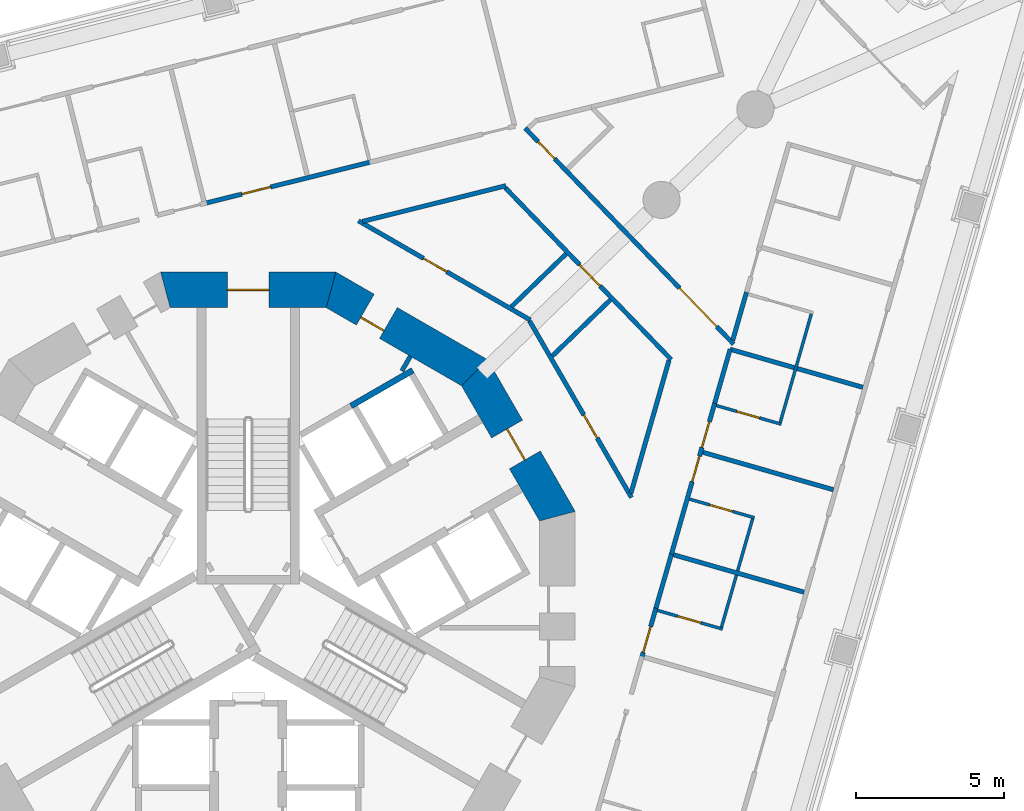
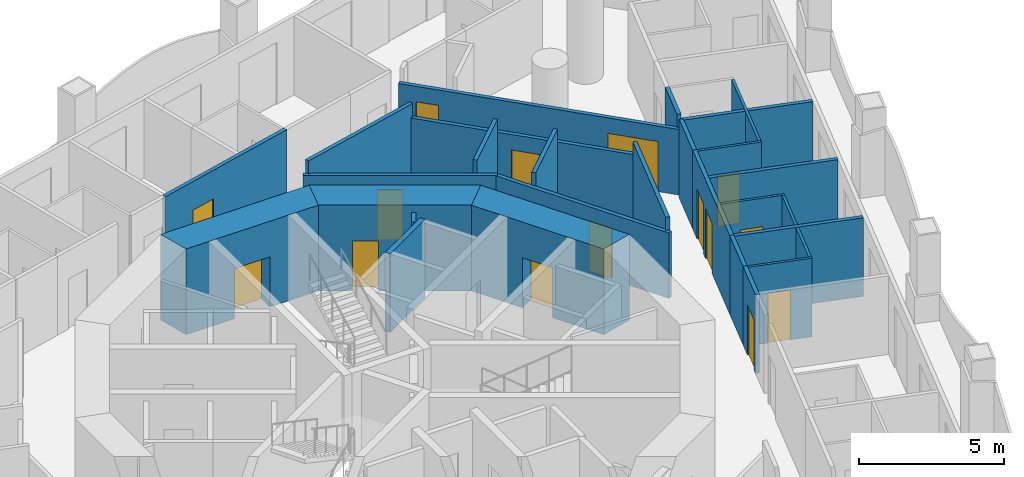
# One storey, part 10 of 20: 28 walls, 15 doors, 15 openings.
"""IFC4 building model written with IfcOpenShell, lengths in metres."""

from ifc_helpers import new_model, si_unit, direction, frame, frame_2d, origin, place, context, subcontext, project, spatial, polyline, rectangle, outline, extrude, material, layer, layer_set, type_object, element, fill, save


model = new_model("IFC4")

# Units and contexts
model_context = context("Model", 3, precision=1e-05, world=origin(), true_north=direction((0.0, 1.0)))
body_context = subcontext(model_context, "Body", "Model", "MODEL_VIEW")
ifc_project = project(units=[si_unit("LENGTHUNIT", "METRE"), si_unit("AREAUNIT", "SQUARE_METRE"), si_unit("VOLUMEUNIT", "CUBIC_METRE"), si_unit("PLANEANGLEUNIT", "RADIAN"), si_unit("MASSUNIT", "GRAM", prefix="KILO")], contexts=[model_context])

# Site, building, storey
site_placement = place(None, origin())
site = spatial("IfcSite", under=ifc_project, at=site_placement, CompositionType="ELEMENT")
building_placement = place(site_placement, origin())
building = spatial("IfcBuilding", under=site, at=building_placement, Name="Trine Commons Tower", CompositionType="ELEMENT")
storey_placement = place(building_placement, frame((0.0, 0.0, 112.5)))
storey = spatial("IfcBuildingStorey", under=building, at=storey_placement, Name="L28", CompositionType="ELEMENT", Elevation=112.5)

# Wall
ifc_material_1 = material(Name="Plasterboard partition on steel studs", Category="steel")
ifc_layer_1 = layer(ifc_material_1, 0.14990234375)
ifc_layer_set_1 = layer_set([ifc_layer_1], Name="Plasterboard partition on steel studs")
wall_type_1 = type_object("IfcWallType", Name="Core room partition 150 mm, EI 60", PredefinedType="PARTITIONING", material=ifc_layer_set_1)
wall_1_placement = place(storey_placement, frame((85.4609375, 70.676025390625, 0.0), z_axis=(0.0, 0.0, 1.0), x_axis=(-0.500042804318, -0.866000689289, 0.0)))
element("IfcWall", 1, at=wall_1_placement, inside=storey, type_object=wall_type_1, Name="Core room partition L28", PredefinedType="PARTITIONING", context=body_context, shape_type="SweptSolid", body=[
    extrude(rectangle(XDim=0.57177734375, YDim=0.14990234375, at=frame_2d((0.285888671875, 0.0))), origin(), (0.0, 0.0, 1.0), 3.300048828125),
])

# Wall, opening, door
ifc_material_2 = material(Name="Concrete C70/85", Category="concrete")
ifc_layer_2 = layer(ifc_material_2, 1.199951171875)
ifc_layer_set_2 = layer_set([ifc_layer_2], Name="Concrete C70/85")
wall_type_2 = type_object("IfcWallType", Name="RC shear wall 1200 mm, C70/85", PredefinedType="SHEAR", material=ifc_layer_set_2)
wall_2_placement = place(storey_placement, frame((90.491943359375, 65.150390625, 0.0), z_axis=(0.0, 0.0, 1.0), x_axis=(-0.499979111662, 0.866037463336, 0.0)))
wall_2 = element("IfcWall", 2, at=wall_2_placement, inside=storey, type_object=wall_type_2, Name="Core wall CWC-02 L28", PredefinedType="SHEAR", context=body_context, shape_type="SweptSolid", body=[
    extrude(outline(polyline([(0.0, -0.60009765625), (5.901123046875, -0.60009765625), (5.57958984375, 0.60009765625), (0.321533203125, 0.60009765625), (0.0, -0.60009765625)])), origin(), (0.0, 0.0, 1.0), 3.60009765625),
])
opening_1_placement = place(wall_2_placement, frame((2.3505859375, 0.0, 0.0)))
opening_1 = element("IfcOpeningElement", 3, at=opening_1_placement, cuts=wall_2, Name="Opening K07.04", PredefinedType="OPENING", context=body_context, shape_type="SweptSolid", body=[
    extrude(rectangle(XDim=1.199951171875, YDim=2.10009765625, at=frame_2d((0.60009765625, 1.050048828125))), frame((0.0, 0.60986328125, 0.0), z_axis=(0.0, -1.0, 0.0), x_axis=(1.0, 0.0, 0.0)), (0.0, 0.0, 1.0), 1.219970703125),
])
ifc_material_3 = material(Name="Steel door leaves, fire-rated", Category="steel")
door_type_1 = type_object("IfcDoorType", Name="Lobby door, double leaf 1200 x 2100, FD60", OperationType="DOUBLE_DOOR_SINGLE_SWING", PredefinedType="DOOR", material=ifc_material_3)
door_1_placement = place(opening_1_placement, origin())
door_1 = element("IfcDoor", 4, at=door_1_placement, inside=storey, type_object=door_type_1, Name="Lobby door, Passenger lift lobby A L28", OperationType="DOUBLE_DOOR_SINGLE_SWING", OverallHeight=2.10009765625, OverallWidth=1.199951171875, PredefinedType="DOOR", context=body_context, shape_type="SweptSolid", body=[
    extrude(rectangle(XDim=1.199951171875, YDim=2.10009765625, at=frame_2d((0.60009765625, 1.050048828125))), frame((0.0, 0.02490234375, 0.0), z_axis=(0.0, -1.0, 0.0), x_axis=(1.0, 0.0, 0.0)), (0.0, 0.0, 1.0), 0.050048828125),
])
fill(opening_1, door_1)

wall_3_placement = place(storey_placement, frame((87.760986328125, 70.04150390625, 0.0), z_axis=(0.0, 0.0, 1.0), x_axis=(-0.866037463336, 0.499979111662, 0.0)))
wall_3 = element("IfcWall", 5, at=wall_3_placement, inside=storey, type_object=wall_type_2, Name="Core wall CWC-03 L28", PredefinedType="SHEAR", context=body_context, shape_type="SweptSolid", body=[
    extrude(outline(polyline([(0.0, -0.60009765625), (5.901123046875, -0.60009765625), (5.57958984375, 0.60009765625), (0.321533203125, 0.60009765625), (0.0, -0.60009765625)])), origin(), (0.0, 0.0, 1.0), 3.60009765625),
])
opening_2_placement = place(wall_3_placement, frame((3.509521484375, 0.0, 0.0)))
opening_2 = element("IfcOpeningElement", 6, at=opening_2_placement, cuts=wall_3, Name="Opening K07.11", PredefinedType="OPENING", context=body_context, shape_type="SweptSolid", body=[
    extrude(rectangle(XDim=0.89990234375, YDim=2.10009765625, at=frame_2d((0.449951171875, 1.050048828125))), frame((0.0, 0.60986328125, 0.0), z_axis=(0.0, -1.0, 0.0), x_axis=(1.0, 0.0, 0.0)), (0.0, 0.0, 1.0), 1.219970703125),
])
ifc_material_4 = material(Name="Steel door leaf, fire-rated", Category="steel")
door_type_2 = type_object("IfcDoorType", Name="Core room door, single leaf 900 x 2100, FD30S", OperationType="SINGLE_SWING_LEFT", PredefinedType="DOOR", material=ifc_material_4)
door_2_placement = place(opening_2_placement, origin())
door_2 = element("IfcDoor", 7, at=door_2_placement, inside=storey, type_object=door_type_2, Name="Door to Accessible WC L28", OperationType="SINGLE_SWING_RIGHT", OverallHeight=2.10009765625, OverallWidth=0.89990234375, PredefinedType="DOOR", context=body_context, shape_type="SweptSolid", body=[
    extrude(rectangle(XDim=0.89990234375, YDim=2.10009765625, at=frame_2d((0.449951171875, 1.050048828125))), frame((0.0, 0.3251953125, 0.0), z_axis=(0.0, -1.0, 0.0), x_axis=(1.0, 0.0, 0.0)), (0.0, 0.0, 1.0), 0.050048828125),
])
fill(opening_2, door_2)

wall_4_placement = place(storey_placement, frame((82.950439453125, 72.91162109375, 0.0), z_axis=(0.0, 0.0, 1.0), x_axis=(-1.0, 0.0, 0.0)))
wall_4 = element("IfcWall", 8, at=wall_4_placement, inside=storey, type_object=wall_type_2, Name="Core wall CWC-04 L28", PredefinedType="SHEAR", context=body_context, shape_type="SweptSolid", body=[
    extrude(outline(polyline([(0.0, -0.60009765625), (5.90087890625, -0.60009765625), (5.57958984375, 0.60009765625), (0.321533203125, 0.60009765625), (0.0, -0.60009765625)])), origin(), (0.0, 0.0, 1.0), 3.60009765625),
])
opening_3_placement = place(wall_4_placement, frame((2.25048828125, 0.0, 0.0)))
opening_3 = element("IfcOpeningElement", 9, at=opening_3_placement, cuts=wall_4, Name="Opening K07.01", PredefinedType="OPENING", context=body_context, shape_type="SweptSolid", body=[
    extrude(rectangle(XDim=1.39990234375, YDim=2.10009765625, at=frame_2d((0.699951171875, 1.050048828125))), frame((0.0, 0.60986328125, 0.0), z_axis=(0.0, -1.0, 0.0), x_axis=(1.0, 0.0, 0.0)), (0.0, 0.0, 1.0), 1.219970703125),
])
door_type_3 = type_object("IfcDoorType", Name="Stair door, double leaf 1400 x 2100, FD90", OperationType="DOUBLE_DOOR_SINGLE_SWING", PredefinedType="DOOR", material=ifc_material_3)
door_3_placement = place(opening_3_placement, origin())
door_3 = element("IfcDoor", 10, at=door_3_placement, inside=storey, type_object=door_type_3, Name="Stair door to Exit stair ST1A L28", OperationType="DOUBLE_DOOR_SINGLE_SWING", OverallHeight=2.10009765625, OverallWidth=1.39990234375, PredefinedType="DOOR", context=body_context, shape_type="SweptSolid", body=[
    extrude(rectangle(XDim=1.39990234375, YDim=2.10009765625, at=frame_2d((0.699951171875, 1.050048828125))), frame((0.0, 0.02490234375, 0.0), z_axis=(0.0, -1.0, 0.0), x_axis=(1.0, 0.0, 0.0)), (0.0, 0.0, 1.0), 0.050048828125),
])
fill(opening_3, door_3)

# Wall
ifc_material_5 = material(Name="Fire-rated gypsum shaft wall system")
ifc_layer_3 = layer(ifc_material_5, 0.199951171875)
ifc_layer_set_3 = layer_set([ifc_layer_3], Name="Fire-rated gypsum shaft wall system")
wall_type_3 = type_object("IfcWallType", Name="Shaft wall 200 mm, EI 120", PredefinedType="PARTITIONING", material=ifc_layer_set_3)
wall_5_placement = place(storey_placement, frame((83.4619140625, 69.001953125, 0.0), z_axis=(0.0, 0.0, 1.0), x_axis=(0.866202511239, 0.499693115345, 0.0)))
element("IfcWall", 11, at=wall_5_placement, inside=storey, type_object=wall_type_3, Name="Shaft wall L28", PredefinedType="PARTITIONING", context=body_context, shape_type="SweptSolid", body=[
    extrude(rectangle(XDim=2.4013671875, YDim=0.199951171875, at=frame_2d((1.20068359375, 0.0))), origin(), (0.0, 0.0, 1.0), 3.300048828125),
])

# Wall, opening, door
ifc_material_6 = material(Name="Gypsum plasterboard on steel stud", Category="steel")
ifc_layer_4 = layer(ifc_material_6, 0.14990234375)
ifc_layer_set_4 = layer_set([ifc_layer_4], Name="Gypsum plasterboard on steel stud")
wall_type_4 = type_object("IfcWallType", Name="Unit and corridor wall 150 mm, EI 60", PredefinedType="PARTITIONING", material=ifc_layer_set_4)
wall_6_placement = place(storey_placement, frame((78.52392578125, 75.820068359375, 0.0), z_axis=(0.0, 0.0, 1.0), x_axis=(0.970305795141, 0.241881508008, 0.0)))
wall_6 = element("IfcWall", 12, at=wall_6_placement, inside=storey, type_object=wall_type_4, Name="Partition 067", PredefinedType="PARTITIONING", context=body_context, shape_type="SweptSolid", body=[
    extrude(rectangle(XDim=5.796630859375, YDim=0.14990234375, at=frame_2d((2.8984375, 0.0))), origin(), (0.0, 0.0, 1.0), 3.300048828125),
])
opening_4_placement = place(wall_6_placement, frame((1.29833984375, 0.0, 0.0)))
opening_4 = element("IfcOpeningElement", 13, at=opening_4_placement, cuts=wall_6, Name="Opening D-3C13", PredefinedType="OPENING", context=body_context, shape_type="SweptSolid", body=[
    extrude(rectangle(XDim=1.0, YDim=2.10009765625, at=frame_2d((0.5, 1.050048828125))), frame((0.0, 0.0849609375, 0.0), z_axis=(0.0, -1.0, 0.0), x_axis=(1.0, 0.0, 0.0)), (0.0, 0.0, 1.0), 0.169921875),
])
ifc_material_7 = material(Name="Painted timber", Category="wood")
door_type_4 = type_object("IfcDoorType", Name="Amenity room door 1000 x 2100, NOT RATED", OperationType="NOTDEFINED", PredefinedType="DOOR", material=ifc_material_7)
door_4_placement = place(opening_4_placement, origin())
door_4 = element("IfcDoor", 14, at=door_4_placement, inside=storey, type_object=door_type_4, Name="Door D-3C13", OperationType="SINGLE_SWING_LEFT", OverallHeight=2.10009765625, OverallWidth=1.0, PredefinedType="DOOR", context=body_context, shape_type="SweptSolid", body=[
    extrude(rectangle(XDim=1.0, YDim=2.10009765625, at=frame_2d((0.5, 1.050048828125))), frame((0.0, 0.02490234375, 0.0), z_axis=(0.0, -1.0, 0.0), x_axis=(1.0, 0.0, 0.0)), (0.0, 0.0, 1.0), 0.050048828125),
])
fill(opening_4, door_4)

wall_7_placement = place(storey_placement, frame((83.7119140625, 75.237548828125, 0.0), z_axis=(0.0, 0.0, 1.0), x_axis=(0.866033484359, -0.499986003774, 0.0)))
wall_7 = element("IfcWall", 15, at=wall_7_placement, inside=storey, type_object=wall_type_4, Name="Partition 084", PredefinedType="PARTITIONING", context=body_context, shape_type="SweptSolid", body=[
    extrude(rectangle(XDim=6.682373046875, YDim=0.14990234375, at=frame_2d((3.34130859375, 0.0))), origin(), (0.0, 0.0, 1.0), 2.75),
])
opening_5_placement = place(wall_7_placement, frame((2.53271484375, 0.0, 0.0)))
opening_5 = element("IfcOpeningElement", 16, at=opening_5_placement, cuts=wall_7, Name="Opening D-3C35", PredefinedType="OPENING", context=body_context, shape_type="SweptSolid", body=[
    extrude(rectangle(XDim=0.89990234375, YDim=2.10009765625, at=frame_2d((0.449951171875, 1.050048828125))), frame((0.0, 0.0849609375, 0.0), z_axis=(0.0, -1.0, 0.0), x_axis=(1.0, 0.0, 0.0)), (0.0, 0.0, 1.0), 0.169921875),
])
ifc_material_8 = material(Name="Timber fire door set", Category="wood")
door_type_5 = type_object("IfcDoorType", Name="Service door 900 x 2100, FD30S", OperationType="NOTDEFINED", PredefinedType="DOOR", material=ifc_material_8)
door_5_placement = place(opening_5_placement, origin())
door_5 = element("IfcDoor", 17, at=door_5_placement, inside=storey, type_object=door_type_5, Name="Door D-3C35", OperationType="SINGLE_SWING_LEFT", OverallHeight=2.10009765625, OverallWidth=0.89990234375, PredefinedType="DOOR", context=body_context, shape_type="SweptSolid", body=[
    extrude(rectangle(XDim=0.89990234375, YDim=2.10009765625, at=frame_2d((0.449951171875, 1.050048828125))), frame((0.0, 0.02490234375, 0.0), z_axis=(0.0, -1.0, 0.0), x_axis=(1.0, 0.0, 0.0)), (0.0, 0.0, 1.0), 0.050048828125),
])
fill(opening_5, door_5)

# Wall
wall_8_placement = place(storey_placement, frame((83.852783203125, 75.216064453125, 0.0), z_axis=(0.0, 0.0, 1.0), x_axis=(0.970312588938, 0.241854253112, 0.0)))
element("IfcWall", 18, at=wall_8_placement, inside=storey, type_object=wall_type_4, Name="Partition 085", PredefinedType="PARTITIONING", context=body_context, shape_type="SweptSolid", body=[
    extrude(rectangle(XDim=4.974609375, YDim=0.14990234375, at=frame_2d((2.4873046875, 0.0))), origin(), (0.0, 0.0, 1.0), 3.300048828125),
])

# Wall, opening, door
wall_9_placement = place(storey_placement, frame((88.6591796875, 76.34716796875, 0.0), z_axis=(0.0, 0.0, 1.0), x_axis=(0.694672534157, -0.719326122345, 0.0)))
wall_9 = element("IfcWall", 19, at=wall_9_placement, inside=storey, type_object=wall_type_4, Name="Partition 106", PredefinedType="PARTITIONING", context=body_context, shape_type="SweptSolid", body=[
    extrude(rectangle(XDim=8.041015625, YDim=0.14990234375, at=frame_2d((4.0205078125, 0.0))), origin(), (0.0, 0.0, 1.0), 2.75),
])
opening_6_placement = place(wall_9_placement, frame((3.595458984375, 0.0, 0.0)))
opening_6 = element("IfcOpeningElement", 20, at=opening_6_placement, cuts=wall_9, Name="Opening D-3C42", PredefinedType="OPENING", context=body_context, shape_type="SweptSolid", body=[
    extrude(rectangle(XDim=1.0, YDim=2.10009765625, at=frame_2d((0.5, 1.050048828125))), frame((0.0, 0.0849609375, 0.0), z_axis=(0.0, -1.0, 0.0), x_axis=(1.0, 0.0, 0.0)), (0.0, 0.0, 1.0), 0.169921875),
])
door_type_6 = type_object("IfcDoorType", Name="Toilet door 1000 x 2100, NOT RATED", OperationType="NOTDEFINED", PredefinedType="DOOR", material=ifc_material_7)
door_6_placement = place(opening_6_placement, frame((1.0, 0.0, 0.0), z_axis=(0.0, 0.0, 1.0), x_axis=(-1.0, 0.0, 0.0)))
door_6 = element("IfcDoor", 21, at=door_6_placement, inside=storey, type_object=door_type_6, Name="Door D-3C42", OperationType="SINGLE_SWING_LEFT", OverallHeight=2.10009765625, OverallWidth=1.0, PredefinedType="DOOR", context=body_context, shape_type="SweptSolid", body=[
    extrude(rectangle(XDim=1.0, YDim=2.10009765625, at=frame_2d((0.5, 1.050048828125))), frame((0.0, 0.02490234375, 0.0), z_axis=(0.0, -1.0, 0.0), x_axis=(1.0, 0.0, 0.0)), (0.0, 0.0, 1.0), 0.050048828125),
])
fill(opening_6, door_6)

# Wall
wall_10_placement = place(storey_placement, frame((88.864013671875, 72.34619140625, 0.0), z_axis=(0.0, 0.0, 1.0), x_axis=(0.719366900494, 0.694630306332, 0.0)))
element("IfcWall", 22, at=wall_10_placement, inside=storey, type_object=wall_type_4, Name="Partition 107", PredefinedType="PARTITIONING", context=body_context, shape_type="SweptSolid", body=[
    extrude(rectangle(XDim=2.55615234375, YDim=0.14990234375, at=frame_2d((1.278076171875, 0.0))), origin(), (0.0, 0.0, 1.0), 3.300048828125),
])

# Wall, openings, doors
wall_11_placement = place(storey_placement, frame((89.322998046875, 78.35791015625, 0.0), z_axis=(0.0, 0.0, 1.0), x_axis=(0.694707851552, -0.719292013713, 0.0)))
wall_11 = element("IfcWall", 23, at=wall_11_placement, inside=storey, type_object=wall_type_4, Name="Partition 112", PredefinedType="PARTITIONING", context=body_context, shape_type="SweptSolid", body=[
    extrude(rectangle(XDim=10.109619140625, YDim=0.14990234375, at=frame_2d((5.0546875, 0.0))), origin(), (0.0, 0.0, 1.0), 2.75),
])
opening_7_placement = place(wall_11_placement, frame((7.484130859375, 0.0, 0.0)))
opening_7 = element("IfcOpeningElement", 24, at=opening_7_placement, cuts=wall_11, Name="Opening D-3C01", PredefinedType="OPENING", context=body_context, shape_type="SweptSolid", body=[
    extrude(rectangle(XDim=1.800048828125, YDim=2.10009765625, at=frame_2d((0.89990234375, 1.050048828125))), frame((0.0, 0.0849609375, 0.0), z_axis=(0.0, -1.0, 0.0), x_axis=(1.0, 0.0, 0.0)), (0.0, 0.0, 1.0), 0.169921875),
])
opening_8_placement = place(wall_11_placement, frame((0.628662109375, 0.0, 0.0)))
opening_8 = element("IfcOpeningElement", 25, at=opening_8_placement, cuts=wall_11, Name="Opening D-3C04", PredefinedType="OPENING", context=body_context, shape_type="SweptSolid", body=[
    extrude(rectangle(XDim=0.800048828125, YDim=2.10009765625, at=frame_2d((0.39990234375, 1.050048828125))), frame((0.0, 0.0849609375, 0.0), z_axis=(0.0, -1.0, 0.0), x_axis=(1.0, 0.0, 0.0)), (0.0, 0.0, 1.0), 0.169921875),
])
door_type_7 = type_object("IfcDoorType", Name="Cluster entrance door 1800 x 2100, double leaf, FD30S", OperationType="DOUBLE_DOOR_DOUBLE_SWING", PredefinedType="DOOR", material=ifc_material_8)
door_7_placement = place(opening_7_placement, origin())
door_7 = element("IfcDoor", 26, at=door_7_placement, inside=storey, type_object=door_type_7, Name="Door D-3C01", OperationType="DOUBLE_DOOR_DOUBLE_SWING", OverallHeight=2.10009765625, OverallWidth=1.800048828125, PredefinedType="DOOR", context=body_context, shape_type="SweptSolid", body=[
    extrude(rectangle(XDim=1.800048828125, YDim=2.10009765625, at=frame_2d((0.89990234375, 1.050048828125))), frame((0.0, 0.02490234375, 0.0), z_axis=(0.0, -1.0, 0.0), x_axis=(1.0, 0.0, 0.0)), (0.0, 0.0, 1.0), 0.050048828125),
])
fill(opening_7, door_7)
door_type_8 = type_object("IfcDoorType", Name="Toilet door 800 x 2100, NOT RATED", OperationType="NOTDEFINED", PredefinedType="DOOR", material=ifc_material_7)
door_8_placement = place(opening_8_placement, origin())
door_8 = element("IfcDoor", 27, at=door_8_placement, inside=storey, type_object=door_type_8, Name="Door D-3C04", OperationType="SINGLE_SWING_LEFT", OverallHeight=2.10009765625, OverallWidth=0.800048828125, PredefinedType="DOOR", context=body_context, shape_type="SweptSolid", body=[
    extrude(rectangle(XDim=0.800048828125, YDim=2.10009765625, at=frame_2d((0.39990234375, 1.050048828125))), frame((0.0, 0.02490234375, 0.0), z_axis=(0.0, -1.0, 0.0), x_axis=(1.0, 0.0, 0.0)), (0.0, 0.0, 1.0), 0.050048828125),
])
fill(opening_8, door_8)

# Wall, opening, door
wall_12_placement = place(storey_placement, frame((89.471435546875, 71.868896484375, 0.0), z_axis=(0.0, 0.0, 1.0), x_axis=(0.500000410344, -0.866025166872, 0.0)))
wall_12 = element("IfcWall", 28, at=wall_12_placement, inside=storey, type_object=wall_type_4, Name="Partition 114", PredefinedType="PARTITIONING", context=body_context, shape_type="SweptSolid", body=[
    extrude(rectangle(XDim=6.8681640625, YDim=0.14990234375, at=frame_2d((3.43408203125, 0.0))), origin(), (0.0, 0.0, 1.0), 2.75),
])
opening_9_placement = place(wall_12_placement, frame((3.65869140625, 0.0, 0.0)))
opening_9 = element("IfcOpeningElement", 29, at=opening_9_placement, cuts=wall_12, Name="Opening D-3C37", PredefinedType="OPENING", context=body_context, shape_type="SweptSolid", body=[
    extrude(rectangle(XDim=0.89990234375, YDim=2.10009765625, at=frame_2d((0.449951171875, 1.050048828125))), frame((0.0, 0.0849609375, 0.0), z_axis=(0.0, -1.0, 0.0), x_axis=(1.0, 0.0, 0.0)), (0.0, 0.0, 1.0), 0.169921875),
])
door_9_placement = place(opening_9_placement, origin())
door_9 = element("IfcDoor", 30, at=door_9_placement, inside=storey, type_object=door_type_5, Name="Door D-3C37", OperationType="SINGLE_SWING_RIGHT", OverallHeight=2.10009765625, OverallWidth=0.89990234375, PredefinedType="DOOR", context=body_context, shape_type="SweptSolid", body=[
    extrude(rectangle(XDim=0.89990234375, YDim=2.10009765625, at=frame_2d((0.449951171875, 1.050048828125))), frame((0.0, 0.02490234375, 0.0), z_axis=(0.0, -1.0, 0.0), x_axis=(1.0, 0.0, 0.0)), (0.0, 0.0, 1.0), 0.050048828125),
])
fill(opening_9, door_9)

# Walls
wall_13_placement = place(storey_placement, frame((90.239013671875, 70.68408203125, 0.0), z_axis=(0.0, 0.0, 1.0), x_axis=(0.719152656364, 0.694852111492, 0.0)))
element("IfcWall", 31, at=wall_13_placement, inside=storey, type_object=wall_type_4, Name="Partition 118", PredefinedType="PARTITIONING", context=body_context, shape_type="SweptSolid", body=[
    extrude(rectangle(XDim=2.72265625, YDim=0.14990234375, at=frame_2d((1.361328125, 0.0))), origin(), (0.0, 0.0, 1.0), 3.300048828125),
])
wall_14_placement = place(storey_placement, frame((92.88671875, 66.06103515625, 0.0), z_axis=(0.0, 0.0, 1.0), x_axis=(0.275619666794, 0.961266768008, 0.0)))
element("IfcWall", 32, at=wall_14_placement, inside=storey, type_object=wall_type_4, Name="Partition 127", PredefinedType="PARTITIONING", context=body_context, shape_type="SweptSolid", body=[
    extrude(rectangle(XDim=4.66455078125, YDim=0.14990234375, at=frame_2d((2.332275390625, 0.0))), origin(), (0.0, 0.0, 1.0), 3.300048828125),
])

# Wall, opening, door
wall_15_placement = place(storey_placement, frame((93.240478515625, 60.48779296875, 0.0), z_axis=(0.0, 0.0, 1.0), x_axis=(0.275194545337, 0.961388559437, 0.0)))
wall_15 = element("IfcWall", 33, at=wall_15_placement, inside=storey, type_object=wall_type_4, Name="Partition 130", PredefinedType="PARTITIONING", context=body_context, shape_type="SweptSolid", body=[
    extrude(rectangle(XDim=1.770751953125, YDim=0.14990234375, at=frame_2d((0.88525390625, 0.0))), origin(), (0.0, 0.0, 1.0), 3.300048828125),
])
opening_10_placement = place(wall_15_placement, frame((0.228759765625, 0.0, 0.0)))
opening_10 = element("IfcOpeningElement", 34, at=opening_10_placement, cuts=wall_15, Name="Opening D-3C20", PredefinedType="OPENING", context=body_context, shape_type="SweptSolid", body=[
    extrude(rectangle(XDim=0.89990234375, YDim=2.10009765625, at=frame_2d((0.449951171875, 1.050048828125))), frame((0.0, 0.0849609375, 0.0), z_axis=(0.0, -1.0, 0.0), x_axis=(1.0, 0.0, 0.0)), (0.0, 0.0, 1.0), 0.169921875),
])
door_type_9 = type_object("IfcDoorType", Name="Bedroom door 900 x 2100, FD30S", OperationType="NOTDEFINED", PredefinedType="DOOR", material=ifc_material_8)
door_10_placement = place(opening_10_placement, frame((0.89990234375, 0.0, 0.0), z_axis=(0.0, 0.0, 1.0), x_axis=(-1.0, 0.0, 0.0)))
door_10 = element("IfcDoor", 35, at=door_10_placement, inside=storey, type_object=door_type_9, Name="Door D-3C20", OperationType="SINGLE_SWING_RIGHT", OverallHeight=2.10009765625, OverallWidth=0.89990234375, PredefinedType="DOOR", context=body_context, shape_type="SweptSolid", body=[
    extrude(rectangle(XDim=0.89990234375, YDim=2.10009765625, at=frame_2d((0.449951171875, 1.050048828125))), frame((0.0, 0.02490234375, 0.0), z_axis=(0.0, -1.0, 0.0), x_axis=(1.0, 0.0, 0.0)), (0.0, 0.0, 1.0), 0.050048828125),
])
fill(opening_10, door_10)

# Wall
wall_16_placement = place(storey_placement, frame((93.7119140625, 62.134033203125, 0.0), z_axis=(0.0, 0.0, 1.0), x_axis=(0.275675684966, 0.961250704405, 0.0)))
element("IfcWall", 36, at=wall_16_placement, inside=storey, type_object=wall_type_4, Name="Partition 135", PredefinedType="PARTITIONING", context=body_context, shape_type="SweptSolid", body=[
    extrude(rectangle(XDim=1.958984375, YDim=0.14990234375, at=frame_2d((0.9794921875, 0.0))), origin(), (0.0, 0.0, 1.0), 3.300048828125),
])

# Wall, openings, doors
wall_17_placement = place(storey_placement, frame((94.228271484375, 63.93701171875, 0.0), z_axis=(0.0, 0.0, 1.0), x_axis=(0.275671537748, 0.96125189377, 0.0)))
wall_17 = element("IfcWall", 37, at=wall_17_placement, inside=storey, type_object=wall_type_4, Name="Partition 137", PredefinedType="PARTITIONING", context=body_context, shape_type="SweptSolid", body=[
    extrude(rectangle(XDim=5.35986328125, YDim=0.14990234375, at=frame_2d((2.679931640625, 0.0))), origin(), (0.0, 0.0, 1.0), 3.300048828125),
])
opening_11_placement = place(wall_17_placement, frame((3.817138671875, 0.0, 0.0)))
opening_11 = element("IfcOpeningElement", 38, at=opening_11_placement, cuts=wall_17, Name="Opening D-3C18", PredefinedType="OPENING", context=body_context, shape_type="SweptSolid", body=[
    extrude(rectangle(XDim=0.89990234375, YDim=2.10009765625, at=frame_2d((0.449951171875, 1.050048828125))), frame((0.0, 0.0849609375, 0.0), z_axis=(0.0, -1.0, 0.0), x_axis=(1.0, 0.0, 0.0)), (0.0, 0.0, 1.0), 0.169921875),
])
opening_12_placement = place(wall_17_placement, frame((2.6171875, 0.0, 0.0)))
opening_12 = element("IfcOpeningElement", 39, at=opening_12_placement, cuts=wall_17, Name="Opening D-3C19", PredefinedType="OPENING", context=body_context, shape_type="SweptSolid", body=[
    extrude(rectangle(XDim=0.89990234375, YDim=2.10009765625, at=frame_2d((0.449951171875, 1.050048828125))), frame((0.0, 0.0849609375, 0.0), z_axis=(0.0, -1.0, 0.0), x_axis=(1.0, 0.0, 0.0)), (0.0, 0.0, 1.0), 0.169921875),
])
door_11_placement = place(opening_11_placement, frame((0.89990234375, 0.0, 0.0), z_axis=(0.0, 0.0, 1.0), x_axis=(-1.0, 0.0, 0.0)))
door_11 = element("IfcDoor", 40, at=door_11_placement, inside=storey, type_object=door_type_9, Name="Door D-3C18", OperationType="SINGLE_SWING_LEFT", OverallHeight=2.10009765625, OverallWidth=0.89990234375, PredefinedType="DOOR", context=body_context, shape_type="SweptSolid", body=[
    extrude(rectangle(XDim=0.89990234375, YDim=2.10009765625, at=frame_2d((0.449951171875, 1.050048828125))), frame((0.0, 0.02490234375, 0.0), z_axis=(0.0, -1.0, 0.0), x_axis=(1.0, 0.0, 0.0)), (0.0, 0.0, 1.0), 0.050048828125),
])
fill(opening_11, door_11)
door_12_placement = place(opening_12_placement, frame((0.89990234375, 0.0, 0.0), z_axis=(0.0, 0.0, 1.0), x_axis=(-1.0, 0.0, 0.0)))
door_12 = element("IfcDoor", 41, at=door_12_placement, inside=storey, type_object=door_type_9, Name="Door D-3C19", OperationType="SINGLE_SWING_LEFT", OverallHeight=2.10009765625, OverallWidth=0.89990234375, PredefinedType="DOOR", context=body_context, shape_type="SweptSolid", body=[
    extrude(rectangle(XDim=0.89990234375, YDim=2.10009765625, at=frame_2d((0.449951171875, 1.050048828125))), frame((0.0, 0.02490234375, 0.0), z_axis=(0.0, -1.0, 0.0), x_axis=(1.0, 0.0, 0.0)), (0.0, 0.0, 1.0), 0.050048828125),
])
fill(opening_12, door_12)

# Walls
wall_18_placement = place(storey_placement, frame((94.322021484375, 63.9921875, 0.0), z_axis=(0.0, 0.0, 1.0), x_axis=(0.961269673231, -0.275609534171, 0.0)))
element("IfcWall", 42, at=wall_18_placement, inside=storey, type_object=wall_type_4, Name="Partition 138", PredefinedType="PARTITIONING", context=body_context, shape_type="SweptSolid", body=[
    extrude(rectangle(XDim=4.572509765625, YDim=0.14990234375, at=frame_2d((2.2861328125, 0.0))), origin(), (0.0, 0.0, 1.0), 3.300048828125),
])
wall_19_placement = place(storey_placement, frame((95.31103515625, 67.44140625, 0.0), z_axis=(0.0, 0.0, 1.0), x_axis=(0.961255526758, -0.275658869398, 0.0)))
element("IfcWall", 43, at=wall_19_placement, inside=storey, type_object=wall_type_4, Name="Partition 141", PredefinedType="PARTITIONING", context=body_context, shape_type="SweptSolid", body=[
    extrude(rectangle(XDim=4.57275390625, YDim=0.14990234375, at=frame_2d((2.286376953125, 0.0))), origin(), (0.0, 0.0, 1.0), 3.300048828125),
])
wall_20_placement = place(storey_placement, frame((95.70703125, 69.092041015625, 0.0), z_axis=(0.0, 0.0, 1.0), x_axis=(0.275265230362, 0.961368323253, 0.0)))
element("IfcWall", 44, at=wall_20_placement, inside=storey, type_object=wall_type_4, Name="Partition 144", PredefinedType="PARTITIONING", context=body_context, shape_type="SweptSolid", body=[
    extrude(rectangle(XDim=1.896240234375, YDim=0.14990234375, at=frame_2d((0.9482421875, 0.0))), origin(), (0.0, 0.0, 1.0), 3.300048828125),
])
wall_21_placement = place(storey_placement, frame((96.22802734375, 70.910888671875, 0.0), z_axis=(0.0, 0.0, 1.0), x_axis=(0.961263836782, -0.275629889699, 0.0)))
element("IfcWall", 45, at=wall_21_placement, inside=storey, type_object=wall_type_4, Name="Partition 146", PredefinedType="PARTITIONING", context=body_context, shape_type="SweptSolid", body=[
    extrude(rectangle(XDim=4.6474609375, YDim=0.14990234375, at=frame_2d((2.32373046875, 0.0))), origin(), (0.0, 0.0, 1.0), 3.300048828125),
])
wall_22_placement = place(storey_placement, frame((96.314697265625, 71.212158203125, 0.0), z_axis=(0.0, 0.0, 1.0), x_axis=(0.275540757527, 0.9612893898, 0.0)))
element("IfcWall", 46, at=wall_22_placement, inside=storey, type_object=wall_type_4, Name="Partition 147", PredefinedType="PARTITIONING", context=body_context, shape_type="SweptSolid", body=[
    extrude(rectangle(XDim=1.69140625, YDim=0.14990234375, at=frame_2d((0.845703125, 0.0))), origin(), (0.0, 0.0, 1.0), 3.300048828125),
])

# Wall, opening, door
ifc_layer_5 = layer(ifc_material_6, 0.10009765625)
ifc_layer_set_5 = layer_set([ifc_layer_5], Name="Gypsum plasterboard on steel stud")
wall_type_5 = type_object("IfcWallType", Name="Unit partition 100 mm, no rating", PredefinedType="PARTITIONING", material=ifc_layer_set_5)
wall_23_placement = place(storey_placement, frame((93.78515625, 62.1171875, 0.0), z_axis=(0.0, 0.0, 1.0), x_axis=(0.961247989745, -0.27568515051, 0.0)))
wall_23 = element("IfcWall", 47, at=wall_23_placement, inside=storey, type_object=wall_type_5, Name="Partition 136", PredefinedType="PARTITIONING", context=body_context, shape_type="SweptSolid", body=[
    extrude(rectangle(XDim=2.274169921875, YDim=0.10009765625, at=frame_2d((1.13720703125, 0.0))), origin(), (0.0, 0.0, 1.0), 3.300048828125),
])
opening_13_placement = place(wall_23_placement, frame((0.7119140625, 0.0, 0.0)))
opening_13 = element("IfcOpeningElement", 48, at=opening_13_placement, cuts=wall_23, Name="Opening D-3C55", PredefinedType="OPENING", context=body_context, shape_type="SweptSolid", body=[
    extrude(rectangle(XDim=0.800048828125, YDim=2.10009765625, at=frame_2d((0.39990234375, 1.050048828125))), frame((0.0, 0.06005859375, 0.0), z_axis=(0.0, -1.0, 0.0), x_axis=(1.0, 0.0, 0.0)), (0.0, 0.0, 1.0), 0.1201171875),
])
door_type_10 = type_object("IfcDoorType", Name="Internal door 800 x 2100, NOT RATED", OperationType="NOTDEFINED", PredefinedType="DOOR", material=ifc_material_7)
door_13_placement = place(opening_13_placement, frame((0.800048828125, 0.0, 0.0), z_axis=(0.0, 0.0, 1.0), x_axis=(-1.0, 0.0, 0.0)))
door_13 = element("IfcDoor", 49, at=door_13_placement, inside=storey, type_object=door_type_10, Name="Door D-3C55", OperationType="SINGLE_SWING_RIGHT", OverallHeight=2.10009765625, OverallWidth=0.800048828125, PredefinedType="DOOR", context=body_context, shape_type="SweptSolid", body=[
    extrude(rectangle(XDim=0.800048828125, YDim=2.10009765625, at=frame_2d((0.39990234375, 1.050048828125))), frame((0.0, 0.02490234375, 0.0), z_axis=(0.0, -1.0, 0.0), x_axis=(1.0, 0.0, 0.0)), (0.0, 0.0, 1.0), 0.050048828125),
])
fill(opening_13, door_13)

wall_24_placement = place(storey_placement, frame((94.860107421875, 65.8662109375, 0.0), z_axis=(0.0, 0.0, 1.0), x_axis=(0.961247989745, -0.27568515051, 0.0)))
wall_24 = element("IfcWall", 50, at=wall_24_placement, inside=storey, type_object=wall_type_5, Name="Partition 139", PredefinedType="PARTITIONING", context=body_context, shape_type="SweptSolid", body=[
    extrude(rectangle(XDim=2.274169921875, YDim=0.10009765625, at=frame_2d((1.13720703125, 0.0))), origin(), (0.0, 0.0, 1.0), 3.300048828125),
])
opening_14_placement = place(wall_24_placement, frame((0.7119140625, 0.0, 0.0)))
opening_14 = element("IfcOpeningElement", 51, at=opening_14_placement, cuts=wall_24, Name="Opening D-3C54", PredefinedType="OPENING", context=body_context, shape_type="SweptSolid", body=[
    extrude(rectangle(XDim=0.800048828125, YDim=2.10009765625, at=frame_2d((0.39990234375, 1.050048828125))), frame((0.0, 0.06005859375, 0.0), z_axis=(0.0, -1.0, 0.0), x_axis=(1.0, 0.0, 0.0)), (0.0, 0.0, 1.0), 0.1201171875),
])
door_14_placement = place(opening_14_placement, origin())
door_14 = element("IfcDoor", 52, at=door_14_placement, inside=storey, type_object=door_type_10, Name="Door D-3C54", OperationType="SINGLE_SWING_LEFT", OverallHeight=2.10009765625, OverallWidth=0.800048828125, PredefinedType="DOOR", context=body_context, shape_type="SweptSolid", body=[
    extrude(rectangle(XDim=0.800048828125, YDim=2.10009765625, at=frame_2d((0.39990234375, 1.050048828125))), frame((0.0, 0.02490234375, 0.0), z_axis=(0.0, -1.0, 0.0), x_axis=(1.0, 0.0, 0.0)), (0.0, 0.0, 1.0), 0.050048828125),
])
fill(opening_14, door_14)

wall_25_placement = place(storey_placement, frame((95.76318359375, 69.016357421875, 0.0), z_axis=(0.0, 0.0, 1.0), x_axis=(0.961252175385, -0.275670555767, 0.0)))
wall_25 = element("IfcWall", 53, at=wall_25_placement, inside=storey, type_object=wall_type_5, Name="Partition 143", PredefinedType="PARTITIONING", context=body_context, shape_type="SweptSolid", body=[
    extrude(rectangle(XDim=2.275146484375, YDim=0.10009765625, at=frame_2d((1.1376953125, 0.0))), origin(), (0.0, 0.0, 1.0), 3.300048828125),
])
opening_15_placement = place(wall_25_placement, frame((0.71240234375, 0.0, 0.0)))
opening_15 = element("IfcOpeningElement", 54, at=opening_15_placement, cuts=wall_25, Name="Opening D-3C53", PredefinedType="OPENING", context=body_context, shape_type="SweptSolid", body=[
    extrude(rectangle(XDim=0.800048828125, YDim=2.10009765625, at=frame_2d((0.39990234375, 1.050048828125))), frame((0.0, 0.06005859375, 0.0), z_axis=(0.0, -1.0, 0.0), x_axis=(1.0, 0.0, 0.0)), (0.0, 0.0, 1.0), 0.1201171875),
])
door_15_placement = place(opening_15_placement, frame((0.800048828125, 0.0, 0.0), z_axis=(0.0, 0.0, 1.0), x_axis=(-1.0, 0.0, 0.0)))
door_15 = element("IfcDoor", 55, at=door_15_placement, inside=storey, type_object=door_type_10, Name="Door D-3C53", OperationType="SINGLE_SWING_RIGHT", OverallHeight=2.10009765625, OverallWidth=0.800048828125, PredefinedType="DOOR", context=body_context, shape_type="SweptSolid", body=[
    extrude(rectangle(XDim=0.800048828125, YDim=2.10009765625, at=frame_2d((0.39990234375, 1.050048828125))), frame((0.0, 0.02490234375, 0.0), z_axis=(0.0, -1.0, 0.0), x_axis=(1.0, 0.0, 0.0)), (0.0, 0.0, 1.0), 0.050048828125),
])
fill(opening_15, door_15)

# Walls
wall_26_placement = place(storey_placement, frame((95.936767578125, 61.552001953125, 0.0), z_axis=(0.0, 0.0, 1.0), x_axis=(0.275745372376, 0.96123071612, 0.0)))
element("IfcWall", 56, at=wall_26_placement, inside=storey, type_object=wall_type_5, Name="Partition 145", PredefinedType="PARTITIONING", context=body_context, shape_type="SweptSolid", body=[
    extrude(rectangle(XDim=1.82568359375, YDim=0.10009765625, at=frame_2d((0.912841796875, 0.0))), origin(), (0.0, 0.0, 1.0), 3.300048828125),
])
wall_27_placement = place(storey_placement, frame((96.481689453125, 63.451171875, 0.0), z_axis=(0.0, 0.0, 1.0), x_axis=(0.275428095327, 0.96132167577, 0.0)))
element("IfcWall", 57, at=wall_27_placement, inside=storey, type_object=wall_type_5, Name="Partition 148", PredefinedType="PARTITIONING", context=body_context, shape_type="SweptSolid", body=[
    extrude(rectangle(XDim=1.82421875, YDim=0.10009765625, at=frame_2d((0.912109375, 0.0))), origin(), (0.0, 0.0, 1.0), 3.300048828125),
])
wall_28_placement = place(storey_placement, frame((97.915771484375, 68.451171875, 0.0), z_axis=(0.0, 0.0, 1.0), x_axis=(0.275382977001, 0.961334601467, 0.0)))
element("IfcWall", 58, at=wall_28_placement, inside=storey, type_object=wall_type_5, Name="Partition 154", PredefinedType="PARTITIONING", context=body_context, shape_type="SweptSolid", body=[
    extrude(rectangle(XDim=3.7998046875, YDim=0.10009765625, at=frame_2d((1.89990234375, 0.0))), origin(), (0.0, 0.0, 1.0), 3.300048828125),
])

save(model, "model.ifc")
